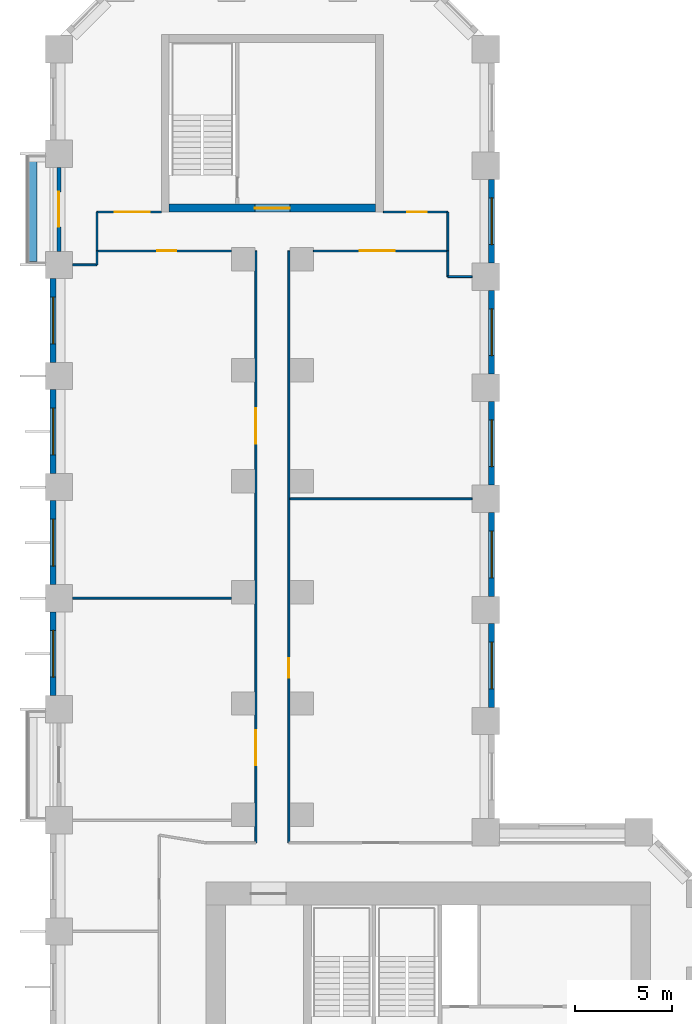
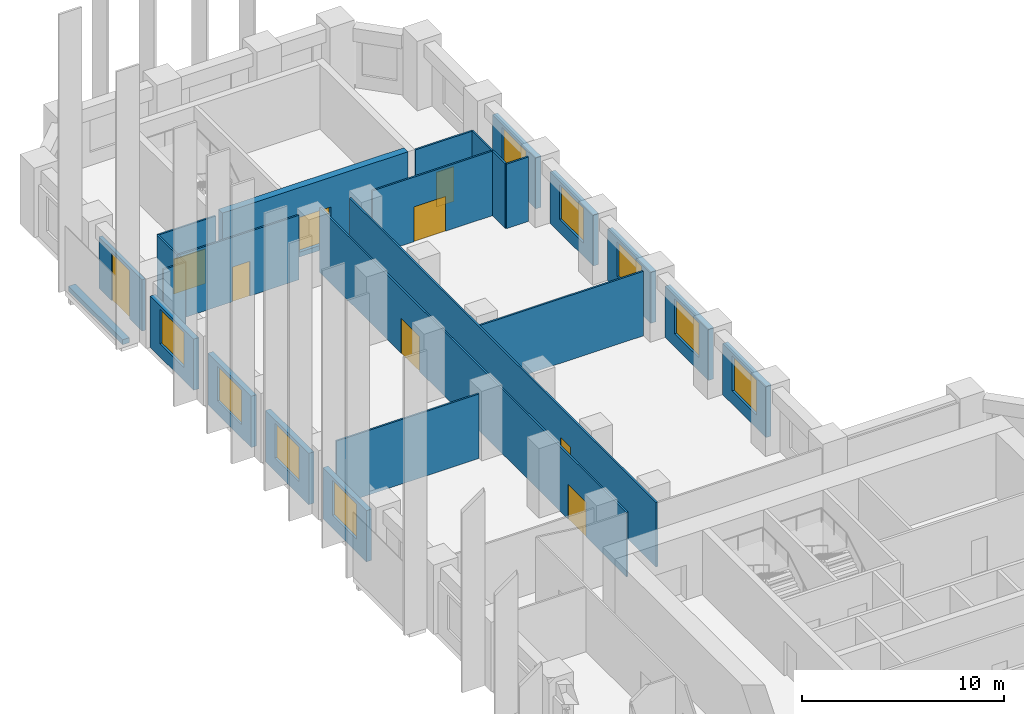
# One storey, part 8 of 11: 26 walls, 9 doors, 9 windows, 18 openings.
"""IFC4 building model written with IfcOpenShell, lengths in metres."""

from ifc_helpers import new_model, si_unit, direction, frame, frame_2d, origin, place, context, subcontext, project, spatial, rectangle, extrude, material, layer, layer_set, type_object, element, fill, save


model = new_model("IFC4")

# Units and contexts
model_context = context("Model", 3, precision=1e-05, world=origin(), true_north=direction((0.0, 1.0)))
body_context = subcontext(model_context, "Body", "Model", "MODEL_VIEW")
ifc_project = project(units=[si_unit("LENGTHUNIT", "METRE"), si_unit("AREAUNIT", "SQUARE_METRE"), si_unit("VOLUMEUNIT", "CUBIC_METRE"), si_unit("PLANEANGLEUNIT", "RADIAN"), si_unit("MASSUNIT", "GRAM", prefix="KILO")], contexts=[model_context])

# Site, building, storey
site_placement = place(None, origin())
site = spatial("IfcSite", under=ifc_project, at=site_placement, CompositionType="ELEMENT")
building_placement = place(site_placement, origin())
building = spatial("IfcBuilding", under=site, at=building_placement, Name="Meshkara Civic Tower", CompositionType="ELEMENT")
storey_placement = place(building_placement, frame((0.0, 0.0, 49.800048828125)))
storey = spatial("IfcBuildingStorey", under=building, at=storey_placement, Name="L10", CompositionType="ELEMENT", Elevation=49.800048828125)

# Wall, opening, door
ifc_material_1 = material(Name="Corridor wall 100")
ifc_layer_1 = layer(ifc_material_1, 0.10009765625)
ifc_layer_set_1 = layer_set([ifc_layer_1], Name="Corridor wall 100")
wall_type_1 = type_object("IfcWallType", Name="Corridor wall 100", PredefinedType="PARTITIONING", material=ifc_layer_set_1)
wall_1_placement = place(storey_placement, frame((2.39990234375, 69.27001953125, 0.0), z_axis=(0.0, 0.0, 1.0), x_axis=(1.0, 0.0, 0.0)))
wall_1 = element("IfcWall", 1, at=wall_1_placement, inside=storey, type_object=wall_type_1, Name="L10-W001", PredefinedType="PARTITIONING", context=body_context, shape_type="SweptSolid", body=[
    extrude(rectangle(XDim=6.900146484375, YDim=0.10009765625, at=frame_2d((3.4501953125, 0.0))), origin(), (0.0, 0.0, 1.0), 3.89990234375),
])
opening_1_placement = place(wall_1_placement, frame((3.080078125, 0.0, 0.0)))
opening_1 = element("IfcOpeningElement", 2, at=opening_1_placement, cuts=wall_1, Name="Opening L10-D026", PredefinedType="OPENING", context=body_context, shape_type="SweptSolid", body=[
    extrude(rectangle(XDim=1.0, YDim=2.10009765625, at=frame_2d((0.5, 1.050048828125))), frame((0.0, 0.06005859375, 0.0), z_axis=(0.0, -1.0, 0.0), x_axis=(1.0, 0.0, 0.0)), (0.0, 0.0, 1.0), 0.1201171875),
])
ifc_material_2 = material(Name="Door 1000 x 2100")
door_type_1 = type_object("IfcDoorType", Name="Door 1000 x 2100", OperationType="SINGLE_SWING_LEFT", PredefinedType="DOOR", material=ifc_material_2)
door_1_placement = place(opening_1_placement, origin())
door_1 = element("IfcDoor", 3, at=door_1_placement, inside=storey, type_object=door_type_1, Name="L10-D026", OperationType="SINGLE_SWING_LEFT", OverallHeight=2.10009765625, OverallWidth=1.0, PredefinedType="DOOR", context=body_context, shape_type="SweptSolid", body=[
    extrude(rectangle(XDim=1.0, YDim=2.10009765625, at=frame_2d((0.5, 1.050048828125))), frame((0.0, 0.02490234375, 0.0), z_axis=(0.0, -1.0, 0.0), x_axis=(1.0, 0.0, 0.0)), (0.0, 0.0, 1.0), 0.050048828125),
])
fill(opening_1, door_1)

# Wall
wall_2_placement = place(storey_placement, frame((2.39990234375, 71.27001953125, 0.0), z_axis=(0.0, 0.0, 1.0), x_axis=(0.0, -1.0, 0.0)))
element("IfcWall", 4, at=wall_2_placement, inside=storey, type_object=wall_type_1, Name="L10-W002", PredefinedType="PARTITIONING", context=body_context, shape_type="SweptSolid", body=[
    extrude(rectangle(XDim=2.0, YDim=0.10009765625, at=frame_2d((1.0, 0.0))), origin(), (0.0, 0.0, 1.0), 3.89990234375),
])

# Wall, opening, door
wall_3_placement = place(storey_placement, frame((5.699951171875, 71.27001953125, 0.0), z_axis=(0.0, 0.0, 1.0), x_axis=(-1.0, 0.0, 0.0)))
wall_3 = element("IfcWall", 5, at=wall_3_placement, inside=storey, type_object=wall_type_1, Name="L10-W006", PredefinedType="PARTITIONING", context=body_context, shape_type="SweptSolid", body=[
    extrude(rectangle(XDim=3.300048828125, YDim=0.10009765625, at=frame_2d((1.64990234375, 0.0))), origin(), (0.0, 0.0, 1.0), 3.89990234375),
])
opening_2_placement = place(wall_3_placement, frame((0.580078125, 0.0, 0.0)))
opening_2 = element("IfcOpeningElement", 6, at=opening_2_placement, cuts=wall_3, Name="Opening L10-D025", PredefinedType="OPENING", context=body_context, shape_type="SweptSolid", body=[
    extrude(rectangle(XDim=1.800048828125, YDim=2.10009765625, at=frame_2d((0.89990234375, 1.050048828125))), frame((0.0, 0.06005859375, 0.0), z_axis=(0.0, -1.0, 0.0), x_axis=(1.0, 0.0, 0.0)), (0.0, 0.0, 1.0), 0.1201171875),
])
ifc_material_3 = material(Name="Door pair 1800 x 2100")
door_type_2 = type_object("IfcDoorType", Name="Door pair 1800 x 2100", OperationType="SINGLE_SWING_LEFT", PredefinedType="DOOR", material=ifc_material_3)
door_2_placement = place(opening_2_placement, origin())
door_2 = element("IfcDoor", 7, at=door_2_placement, inside=storey, type_object=door_type_2, Name="L10-D025", OperationType="DOUBLE_DOOR_SINGLE_SWING", OverallHeight=2.10009765625, OverallWidth=1.800048828125, PredefinedType="DOOR", context=body_context, shape_type="SweptSolid", body=[
    extrude(rectangle(XDim=1.800048828125, YDim=2.10009765625, at=frame_2d((0.89990234375, 1.050048828125))), frame((0.0, 0.02490234375, 0.0), z_axis=(0.0, -1.0, 0.0), x_axis=(1.0, 0.0, 0.0)), (0.0, 0.0, 1.0), 0.050048828125),
])
fill(opening_2, door_2)

# Wall, openings, doors
wall_4_placement = place(storey_placement, frame((10.550048828125, 69.27001953125, 0.0), z_axis=(0.0, 0.0, 1.0), x_axis=(0.0, -1.0, 0.0)))
wall_4 = element("IfcWall", 8, at=wall_4_placement, inside=storey, type_object=wall_type_1, Name="L10-W014", PredefinedType="PARTITIONING", context=body_context, shape_type="SweptSolid", body=[
    extrude(rectangle(XDim=30.3701171875, YDim=0.10009765625, at=frame_2d((15.18505859375, 0.0))), origin(), (0.0, 0.0, 1.0), 3.89990234375),
])
opening_3_placement = place(wall_4_placement, frame((24.594970703125, 0.0, 0.0)))
opening_3 = element("IfcOpeningElement", 9, at=opening_3_placement, cuts=wall_4, Name="Opening L10-D022", PredefinedType="OPENING", context=body_context, shape_type="SweptSolid", body=[
    extrude(rectangle(XDim=1.800048828125, YDim=2.10009765625, at=frame_2d((0.89990234375, 1.050048828125))), frame((0.0, 0.06005859375, 0.0), z_axis=(0.0, -1.0, 0.0), x_axis=(1.0, 0.0, 0.0)), (0.0, 0.0, 1.0), 0.1201171875),
])
opening_4_placement = place(wall_4_placement, frame((8.080078125, 0.0, 0.0)))
opening_4 = element("IfcOpeningElement", 10, at=opening_4_placement, cuts=wall_4, Name="Opening L10-D024", PredefinedType="OPENING", context=body_context, shape_type="SweptSolid", body=[
    extrude(rectangle(XDim=1.800048828125, YDim=2.10009765625, at=frame_2d((0.89990234375, 1.050048828125))), frame((0.0, 0.06005859375, 0.0), z_axis=(0.0, -1.0, 0.0), x_axis=(1.0, 0.0, 0.0)), (0.0, 0.0, 1.0), 0.1201171875),
])
door_3_placement = place(opening_3_placement, origin())
door_3 = element("IfcDoor", 11, at=door_3_placement, inside=storey, type_object=door_type_2, Name="L10-D022", OperationType="DOUBLE_DOOR_SINGLE_SWING", OverallHeight=2.10009765625, OverallWidth=1.800048828125, PredefinedType="DOOR", context=body_context, shape_type="SweptSolid", body=[
    extrude(rectangle(XDim=1.800048828125, YDim=2.10009765625, at=frame_2d((0.89990234375, 1.050048828125))), frame((0.0, 0.02490234375, 0.0), z_axis=(0.0, -1.0, 0.0), x_axis=(1.0, 0.0, 0.0)), (0.0, 0.0, 1.0), 0.050048828125),
])
fill(opening_3, door_3)
door_4_placement = place(opening_4_placement, origin())
door_4 = element("IfcDoor", 12, at=door_4_placement, inside=storey, type_object=door_type_2, Name="L10-D024", OperationType="DOUBLE_DOOR_SINGLE_SWING", OverallHeight=2.10009765625, OverallWidth=1.800048828125, PredefinedType="DOOR", context=body_context, shape_type="SweptSolid", body=[
    extrude(rectangle(XDim=1.800048828125, YDim=2.10009765625, at=frame_2d((0.89990234375, 1.050048828125))), frame((0.0, 0.02490234375, 0.0), z_axis=(0.0, -1.0, 0.0), x_axis=(1.0, 0.0, 0.0)), (0.0, 0.0, 1.0), 0.050048828125),
])
fill(opening_4, door_4)

# Wall, opening, door
wall_5_placement = place(storey_placement, frame((12.25, 69.27001953125, 0.0), z_axis=(0.0, 0.0, 1.0), x_axis=(0.0, -1.0, 0.0)))
wall_5 = element("IfcWall", 13, at=wall_5_placement, inside=storey, type_object=wall_type_1, Name="L10-W015", PredefinedType="PARTITIONING", context=body_context, shape_type="SweptSolid", body=[
    extrude(rectangle(XDim=30.3701171875, YDim=0.10009765625, at=frame_2d((15.18505859375, 0.0))), origin(), (0.0, 0.0, 1.0), 3.89990234375),
])
opening_5_placement = place(wall_5_placement, frame((20.89990234375, 0.0, 0.0)))
opening_5 = element("IfcOpeningElement", 14, at=opening_5_placement, cuts=wall_5, Name="Opening L10-D023", PredefinedType="OPENING", context=body_context, shape_type="SweptSolid", body=[
    extrude(rectangle(XDim=1.0, YDim=2.10009765625, at=frame_2d((0.5, 1.050048828125))), frame((0.0, 0.06005859375, 0.0), z_axis=(0.0, -1.0, 0.0), x_axis=(1.0, 0.0, 0.0)), (0.0, 0.0, 1.0), 0.1201171875),
])
door_5_placement = place(opening_5_placement, origin())
door_5 = element("IfcDoor", 15, at=door_5_placement, inside=storey, type_object=door_type_1, Name="L10-D023", OperationType="SINGLE_SWING_LEFT", OverallHeight=2.10009765625, OverallWidth=1.0, PredefinedType="DOOR", context=body_context, shape_type="SweptSolid", body=[
    extrude(rectangle(XDim=1.0, YDim=2.10009765625, at=frame_2d((0.5, 1.050048828125))), frame((0.0, 0.02490234375, 0.0), z_axis=(0.0, -1.0, 0.0), x_axis=(1.0, 0.0, 0.0)), (0.0, 0.0, 1.0), 0.050048828125),
])
fill(opening_5, door_5)

wall_6_placement = place(storey_placement, frame((13.5, 69.27001953125, 0.0), z_axis=(0.0, 0.0, 1.0), x_axis=(1.0, 0.0, 0.0)))
wall_6 = element("IfcWall", 16, at=wall_6_placement, inside=storey, type_object=wall_type_1, Name="L10-W017", PredefinedType="PARTITIONING", context=body_context, shape_type="SweptSolid", body=[
    extrude(rectangle(XDim=6.89990234375, YDim=0.10009765625, at=frame_2d((3.449951171875, 0.0))), origin(), (0.0, 0.0, 1.0), 3.89990234375),
])
opening_6_placement = place(wall_6_placement, frame((2.3798828125, 0.0, 0.0)))
opening_6 = element("IfcOpeningElement", 17, at=opening_6_placement, cuts=wall_6, Name="Opening L10-D027", PredefinedType="OPENING", context=body_context, shape_type="SweptSolid", body=[
    extrude(rectangle(XDim=1.800048828125, YDim=2.10009765625, at=frame_2d((0.89990234375, 1.050048828125))), frame((0.0, 0.06005859375, 0.0), z_axis=(0.0, -1.0, 0.0), x_axis=(1.0, 0.0, 0.0)), (0.0, 0.0, 1.0), 0.1201171875),
])
door_6_placement = place(opening_6_placement, origin())
door_6 = element("IfcDoor", 18, at=door_6_placement, inside=storey, type_object=door_type_2, Name="L10-D027", OperationType="DOUBLE_DOOR_SINGLE_SWING", OverallHeight=2.10009765625, OverallWidth=1.800048828125, PredefinedType="DOOR", context=body_context, shape_type="SweptSolid", body=[
    extrude(rectangle(XDim=1.800048828125, YDim=2.10009765625, at=frame_2d((0.89990234375, 1.050048828125))), frame((0.0, 0.02490234375, 0.0), z_axis=(0.0, -1.0, 0.0), x_axis=(1.0, 0.0, 0.0)), (0.0, 0.0, 1.0), 0.050048828125),
])
fill(opening_6, door_6)

# Wall
wall_7_placement = place(storey_placement, frame((20.39990234375, 69.27001953125, 0.0), z_axis=(0.0, 0.0, 1.0), x_axis=(0.0, 1.0, 0.0)))
element("IfcWall", 19, at=wall_7_placement, inside=storey, type_object=wall_type_1, Name="L10-W018", PredefinedType="PARTITIONING", context=body_context, shape_type="SweptSolid", body=[
    extrude(rectangle(XDim=2.0, YDim=0.10009765625, at=frame_2d((1.0, 0.0))), origin(), (0.0, 0.0, 1.0), 3.89990234375),
])

# Wall, opening, door
wall_8_placement = place(storey_placement, frame((20.39990234375, 71.27001953125, 0.0), z_axis=(0.0, 0.0, 1.0), x_axis=(-1.0, 0.0, 0.0)))
wall_8 = element("IfcWall", 20, at=wall_8_placement, inside=storey, type_object=wall_type_1, Name="L10-W019", PredefinedType="PARTITIONING", context=body_context, shape_type="SweptSolid", body=[
    extrude(rectangle(XDim=3.2998046875, YDim=0.10009765625, at=frame_2d((1.64990234375, 0.0))), origin(), (0.0, 0.0, 1.0), 3.89990234375),
])
opening_7_placement = place(wall_8_placement, frame((1.080078125, 0.0, 0.0)))
opening_7 = element("IfcOpeningElement", 21, at=opening_7_placement, cuts=wall_8, Name="Opening L10-D028", PredefinedType="OPENING", context=body_context, shape_type="SweptSolid", body=[
    extrude(rectangle(XDim=1.0, YDim=2.10009765625, at=frame_2d((0.5, 1.050048828125))), frame((0.0, 0.06005859375, 0.0), z_axis=(0.0, -1.0, 0.0), x_axis=(1.0, 0.0, 0.0)), (0.0, 0.0, 1.0), 0.1201171875),
])
door_7_placement = place(opening_7_placement, origin())
door_7 = element("IfcDoor", 22, at=door_7_placement, inside=storey, type_object=door_type_1, Name="L10-D028", OperationType="SINGLE_SWING_RIGHT", OverallHeight=2.10009765625, OverallWidth=1.0, PredefinedType="DOOR", context=body_context, shape_type="SweptSolid", body=[
    extrude(rectangle(XDim=1.0, YDim=2.10009765625, at=frame_2d((0.5, 1.050048828125))), frame((0.0, 0.02490234375, 0.0), z_axis=(0.0, -1.0, 0.0), x_axis=(1.0, 0.0, 0.0)), (0.0, 0.0, 1.0), 0.050048828125),
])
fill(opening_7, door_7)

# Wall, opening, window
ifc_material_4 = material(Name="Insulated infill panel with bronze anodised aluminium cladding", Category="aluminium")
ifc_layer_2 = layer(ifc_material_4, 0.300048828125)
ifc_layer_set_2 = layer_set([ifc_layer_2], Name="EXTERNAL INFILL WALL 300")
wall_type_2 = type_object("IfcWallType", Name="EXTERNAL INFILL WALL 300", PredefinedType="SOLIDWALL", material=ifc_layer_set_2)
wall_9_placement = place(storey_placement, frame((22.64990234375, 45.85009765625, 0.0), z_axis=(0.0, 0.0, 1.0), x_axis=(0.0, 1.0, 0.0)))
wall_9 = element("IfcWall", 23, at=wall_9_placement, inside=storey, type_object=wall_type_2, Name="External wall", PredefinedType="SOLIDWALL", context=body_context, shape_type="SweptSolid", body=[
    extrude(rectangle(XDim=4.2998046875, YDim=0.300048828125, at=frame_2d((2.14990234375, 0.0))), origin(), (0.0, 0.0, 1.0), 3.099853515625),
])
opening_8_placement = place(wall_9_placement, frame((0.949951171875, 0.0, 0.800048828125)))
opening_8 = element("IfcOpeningElement", 24, at=opening_8_placement, cuts=wall_9, Name="Opening W7", PredefinedType="OPENING", context=body_context, shape_type="SweptSolid", body=[
    extrude(rectangle(XDim=2.39990234375, YDim=2.10009765625, at=frame_2d((1.199951171875, 1.050048828125))), frame((0.0, 0.159912109375, 0.0), z_axis=(0.0, -1.0, 0.0), x_axis=(1.0, 0.0, 0.0)), (0.0, 0.0, 1.0), 0.320068359375),
])
ifc_material_5 = material(Name="Tinted double glazing", Category="glass")
window_type = type_object("IfcWindowType", Name="WINDOW 2400x2100", PartitioningType="DOUBLE_PANEL_VERTICAL", PredefinedType="WINDOW", material=ifc_material_5)
window_1_placement = place(opening_8_placement, origin())
window_1 = element("IfcWindow", 25, at=window_1_placement, inside=storey, type_object=window_type, Name="Window", OverallHeight=2.10009765625, OverallWidth=2.39990234375, PartitioningType="DOUBLE_PANEL_VERTICAL", PredefinedType="WINDOW", context=body_context, shape_type="SweptSolid", body=[
    extrude(rectangle(XDim=2.39990234375, YDim=2.10009765625, at=frame_2d((1.199951171875, 1.050048828125))), frame((0.0, 0.030029296875, 0.0), z_axis=(0.0, -1.0, 0.0), x_axis=(1.0, 0.0, 0.0)), (0.0, 0.0, 1.0), 0.06005859375),
])
fill(opening_8, window_1)

wall_10_placement = place(storey_placement, frame((22.64990234375, 51.550048828125, 0.0), z_axis=(0.0, 0.0, 1.0), x_axis=(0.0, 1.0, 0.0)))
wall_10 = element("IfcWall", 26, at=wall_10_placement, inside=storey, type_object=wall_type_2, Name="External wall", PredefinedType="SOLIDWALL", context=body_context, shape_type="SweptSolid", body=[
    extrude(rectangle(XDim=4.300048828125, YDim=0.300048828125, at=frame_2d((2.14990234375, 0.0))), origin(), (0.0, 0.0, 1.0), 3.099853515625),
])
opening_9_placement = place(wall_10_placement, frame((0.949951171875, 0.0, 0.800048828125)))
opening_9 = element("IfcOpeningElement", 27, at=opening_9_placement, cuts=wall_10, Name="Opening W7", PredefinedType="OPENING", context=body_context, shape_type="SweptSolid", body=[
    extrude(rectangle(XDim=2.39990234375, YDim=2.10009765625, at=frame_2d((1.199951171875, 1.050048828125))), frame((0.0, 0.159912109375, 0.0), z_axis=(0.0, -1.0, 0.0), x_axis=(1.0, 0.0, 0.0)), (0.0, 0.0, 1.0), 0.320068359375),
])
window_2_placement = place(opening_9_placement, origin())
window_2 = element("IfcWindow", 28, at=window_2_placement, inside=storey, type_object=window_type, Name="Window", OverallHeight=2.10009765625, OverallWidth=2.39990234375, PartitioningType="DOUBLE_PANEL_VERTICAL", PredefinedType="WINDOW", context=body_context, shape_type="SweptSolid", body=[
    extrude(rectangle(XDim=2.39990234375, YDim=2.10009765625, at=frame_2d((1.199951171875, 1.050048828125))), frame((0.0, 0.030029296875, 0.0), z_axis=(0.0, -1.0, 0.0), x_axis=(1.0, 0.0, 0.0)), (0.0, 0.0, 1.0), 0.06005859375),
])
fill(opening_9, window_2)

wall_11_placement = place(storey_placement, frame((22.64990234375, 57.25, 0.0), z_axis=(0.0, 0.0, 1.0), x_axis=(0.0, 1.0, 0.0)))
wall_11 = element("IfcWall", 29, at=wall_11_placement, inside=storey, type_object=wall_type_2, Name="External wall", PredefinedType="SOLIDWALL", context=body_context, shape_type="SweptSolid", body=[
    extrude(rectangle(XDim=4.300048828125, YDim=0.300048828125, at=frame_2d((2.14990234375, 0.0))), origin(), (0.0, 0.0, 1.0), 3.099853515625),
])
opening_10_placement = place(wall_11_placement, frame((0.949951171875, 0.0, 0.800048828125)))
opening_10 = element("IfcOpeningElement", 30, at=opening_10_placement, cuts=wall_11, Name="Opening W7", PredefinedType="OPENING", context=body_context, shape_type="SweptSolid", body=[
    extrude(rectangle(XDim=2.39990234375, YDim=2.10009765625, at=frame_2d((1.199951171875, 1.050048828125))), frame((0.0, 0.159912109375, 0.0), z_axis=(0.0, -1.0, 0.0), x_axis=(1.0, 0.0, 0.0)), (0.0, 0.0, 1.0), 0.320068359375),
])
window_3_placement = place(opening_10_placement, origin())
window_3 = element("IfcWindow", 31, at=window_3_placement, inside=storey, type_object=window_type, Name="Window", OverallHeight=2.10009765625, OverallWidth=2.39990234375, PartitioningType="DOUBLE_PANEL_VERTICAL", PredefinedType="WINDOW", context=body_context, shape_type="SweptSolid", body=[
    extrude(rectangle(XDim=2.39990234375, YDim=2.10009765625, at=frame_2d((1.199951171875, 1.050048828125))), frame((0.0, 0.030029296875, 0.0), z_axis=(0.0, -1.0, 0.0), x_axis=(1.0, 0.0, 0.0)), (0.0, 0.0, 1.0), 0.06005859375),
])
fill(opening_10, window_3)

wall_12_placement = place(storey_placement, frame((22.64990234375, 62.949951171875, 0.0), z_axis=(0.0, 0.0, 1.0), x_axis=(0.0, 1.0, 0.0)))
wall_12 = element("IfcWall", 32, at=wall_12_placement, inside=storey, type_object=wall_type_2, Name="External wall", PredefinedType="SOLIDWALL", context=body_context, shape_type="SweptSolid", body=[
    extrude(rectangle(XDim=4.300048828125, YDim=0.300048828125, at=frame_2d((2.14990234375, 0.0))), origin(), (0.0, 0.0, 1.0), 3.099853515625),
])
opening_11_placement = place(wall_12_placement, frame((0.949951171875, 0.0, 0.800048828125)))
opening_11 = element("IfcOpeningElement", 33, at=opening_11_placement, cuts=wall_12, Name="Opening W7", PredefinedType="OPENING", context=body_context, shape_type="SweptSolid", body=[
    extrude(rectangle(XDim=2.39990234375, YDim=2.10009765625, at=frame_2d((1.199951171875, 1.050048828125))), frame((0.0, 0.159912109375, 0.0), z_axis=(0.0, -1.0, 0.0), x_axis=(1.0, 0.0, 0.0)), (0.0, 0.0, 1.0), 0.320068359375),
])
window_4_placement = place(opening_11_placement, origin())
window_4 = element("IfcWindow", 34, at=window_4_placement, inside=storey, type_object=window_type, Name="Window", OverallHeight=2.10009765625, OverallWidth=2.39990234375, PartitioningType="DOUBLE_PANEL_VERTICAL", PredefinedType="WINDOW", context=body_context, shape_type="SweptSolid", body=[
    extrude(rectangle(XDim=2.39990234375, YDim=2.10009765625, at=frame_2d((1.199951171875, 1.050048828125))), frame((0.0, 0.030029296875, 0.0), z_axis=(0.0, -1.0, 0.0), x_axis=(1.0, 0.0, 0.0)), (0.0, 0.0, 1.0), 0.06005859375),
])
fill(opening_11, window_4)

wall_13_placement = place(storey_placement, frame((22.64990234375, 68.64990234375, 0.0), z_axis=(0.0, 0.0, 1.0), x_axis=(0.0, 1.0, 0.0)))
wall_13 = element("IfcWall", 35, at=wall_13_placement, inside=storey, type_object=wall_type_2, Name="External wall", PredefinedType="SOLIDWALL", context=body_context, shape_type="SweptSolid", body=[
    extrude(rectangle(XDim=4.300048828125, YDim=0.300048828125, at=frame_2d((2.14990234375, 0.0))), origin(), (0.0, 0.0, 1.0), 3.099853515625),
])
opening_12_placement = place(wall_13_placement, frame((0.949951171875, 0.0, 0.800048828125)))
opening_12 = element("IfcOpeningElement", 36, at=opening_12_placement, cuts=wall_13, Name="Opening W7", PredefinedType="OPENING", context=body_context, shape_type="SweptSolid", body=[
    extrude(rectangle(XDim=2.39990234375, YDim=2.10009765625, at=frame_2d((1.199951171875, 1.050048828125))), frame((0.0, 0.159912109375, 0.0), z_axis=(0.0, -1.0, 0.0), x_axis=(1.0, 0.0, 0.0)), (0.0, 0.0, 1.0), 0.320068359375),
])
window_5_placement = place(opening_12_placement, origin())
window_5 = element("IfcWindow", 37, at=window_5_placement, inside=storey, type_object=window_type, Name="Window", OverallHeight=2.10009765625, OverallWidth=2.39990234375, PartitioningType="DOUBLE_PANEL_VERTICAL", PredefinedType="WINDOW", context=body_context, shape_type="SweptSolid", body=[
    extrude(rectangle(XDim=2.39990234375, YDim=2.10009765625, at=frame_2d((1.199951171875, 1.050048828125))), frame((0.0, 0.030029296875, 0.0), z_axis=(0.0, -1.0, 0.0), x_axis=(1.0, 0.0, 0.0)), (0.0, 0.0, 1.0), 0.06005859375),
])
fill(opening_12, window_5)

wall_14_placement = place(storey_placement, frame((0.14990234375, 67.85498046875, 0.0), z_axis=(0.0, 0.0, 1.0), x_axis=(0.0, -1.0, 0.0)))
wall_14 = element("IfcWall", 38, at=wall_14_placement, inside=storey, type_object=wall_type_2, Name="External wall", PredefinedType="SOLIDWALL", context=body_context, shape_type="SweptSolid", body=[
    extrude(rectangle(XDim=4.300048828125, YDim=0.300048828125, at=frame_2d((2.14990234375, 0.0))), origin(), (0.0, 0.0, 1.0), 3.099853515625),
])
opening_13_placement = place(wall_14_placement, frame((0.949951171875, 0.0, 0.800048828125)))
opening_13 = element("IfcOpeningElement", 39, at=opening_13_placement, cuts=wall_14, Name="Opening W7", PredefinedType="OPENING", context=body_context, shape_type="SweptSolid", body=[
    extrude(rectangle(XDim=2.39990234375, YDim=2.10009765625, at=frame_2d((1.199951171875, 1.050048828125))), frame((0.0, 0.159912109375, 0.0), z_axis=(0.0, -1.0, 0.0), x_axis=(1.0, 0.0, 0.0)), (0.0, 0.0, 1.0), 0.320068359375),
])
window_6_placement = place(opening_13_placement, origin())
window_6 = element("IfcWindow", 40, at=window_6_placement, inside=storey, type_object=window_type, Name="Window", OverallHeight=2.10009765625, OverallWidth=2.39990234375, PartitioningType="DOUBLE_PANEL_VERTICAL", PredefinedType="WINDOW", context=body_context, shape_type="SweptSolid", body=[
    extrude(rectangle(XDim=2.39990234375, YDim=2.10009765625, at=frame_2d((1.199951171875, 1.050048828125))), frame((0.0, 0.030029296875, 0.0), z_axis=(0.0, -1.0, 0.0), x_axis=(1.0, 0.0, 0.0)), (0.0, 0.0, 1.0), 0.06005859375),
])
fill(opening_13, window_6)

wall_15_placement = place(storey_placement, frame((0.14990234375, 62.155029296875, 0.0), z_axis=(0.0, 0.0, 1.0), x_axis=(0.0, -1.0, 0.0)))
wall_15 = element("IfcWall", 41, at=wall_15_placement, inside=storey, type_object=wall_type_2, Name="External wall", PredefinedType="SOLIDWALL", context=body_context, shape_type="SweptSolid", body=[
    extrude(rectangle(XDim=4.300048828125, YDim=0.300048828125, at=frame_2d((2.14990234375, 0.0))), origin(), (0.0, 0.0, 1.0), 3.099853515625),
])
opening_14_placement = place(wall_15_placement, frame((0.949951171875, 0.0, 0.800048828125)))
opening_14 = element("IfcOpeningElement", 42, at=opening_14_placement, cuts=wall_15, Name="Opening W7", PredefinedType="OPENING", context=body_context, shape_type="SweptSolid", body=[
    extrude(rectangle(XDim=2.39990234375, YDim=2.10009765625, at=frame_2d((1.199951171875, 1.050048828125))), frame((0.0, 0.159912109375, 0.0), z_axis=(0.0, -1.0, 0.0), x_axis=(1.0, 0.0, 0.0)), (0.0, 0.0, 1.0), 0.320068359375),
])
window_7_placement = place(opening_14_placement, origin())
window_7 = element("IfcWindow", 43, at=window_7_placement, inside=storey, type_object=window_type, Name="Window", OverallHeight=2.10009765625, OverallWidth=2.39990234375, PartitioningType="DOUBLE_PANEL_VERTICAL", PredefinedType="WINDOW", context=body_context, shape_type="SweptSolid", body=[
    extrude(rectangle(XDim=2.39990234375, YDim=2.10009765625, at=frame_2d((1.199951171875, 1.050048828125))), frame((0.0, 0.030029296875, 0.0), z_axis=(0.0, -1.0, 0.0), x_axis=(1.0, 0.0, 0.0)), (0.0, 0.0, 1.0), 0.06005859375),
])
fill(opening_14, window_7)

wall_16_placement = place(storey_placement, frame((0.14990234375, 56.455078125, 0.0), z_axis=(0.0, 0.0, 1.0), x_axis=(0.0, -1.0, 0.0)))
wall_16 = element("IfcWall", 44, at=wall_16_placement, inside=storey, type_object=wall_type_2, Name="External wall", PredefinedType="SOLIDWALL", context=body_context, shape_type="SweptSolid", body=[
    extrude(rectangle(XDim=4.300048828125, YDim=0.300048828125, at=frame_2d((2.14990234375, 0.0))), origin(), (0.0, 0.0, 1.0), 3.099853515625),
])
opening_15_placement = place(wall_16_placement, frame((0.949951171875, 0.0, 0.800048828125)))
opening_15 = element("IfcOpeningElement", 45, at=opening_15_placement, cuts=wall_16, Name="Opening W7", PredefinedType="OPENING", context=body_context, shape_type="SweptSolid", body=[
    extrude(rectangle(XDim=2.39990234375, YDim=2.10009765625, at=frame_2d((1.199951171875, 1.050048828125))), frame((0.0, 0.159912109375, 0.0), z_axis=(0.0, -1.0, 0.0), x_axis=(1.0, 0.0, 0.0)), (0.0, 0.0, 1.0), 0.320068359375),
])
window_8_placement = place(opening_15_placement, origin())
window_8 = element("IfcWindow", 46, at=window_8_placement, inside=storey, type_object=window_type, Name="Window", OverallHeight=2.10009765625, OverallWidth=2.39990234375, PartitioningType="DOUBLE_PANEL_VERTICAL", PredefinedType="WINDOW", context=body_context, shape_type="SweptSolid", body=[
    extrude(rectangle(XDim=2.39990234375, YDim=2.10009765625, at=frame_2d((1.199951171875, 1.050048828125))), frame((0.0, 0.030029296875, 0.0), z_axis=(0.0, -1.0, 0.0), x_axis=(1.0, 0.0, 0.0)), (0.0, 0.0, 1.0), 0.06005859375),
])
fill(opening_15, window_8)

wall_17_placement = place(storey_placement, frame((0.14990234375, 50.7548828125, 0.0), z_axis=(0.0, 0.0, 1.0), x_axis=(0.0, -1.0, 0.0)))
wall_17 = element("IfcWall", 47, at=wall_17_placement, inside=storey, type_object=wall_type_2, Name="External wall", PredefinedType="SOLIDWALL", context=body_context, shape_type="SweptSolid", body=[
    extrude(rectangle(XDim=4.2998046875, YDim=0.300048828125, at=frame_2d((2.14990234375, 0.0))), origin(), (0.0, 0.0, 1.0), 3.099853515625),
])
opening_16_placement = place(wall_17_placement, frame((0.949951171875, 0.0, 0.800048828125)))
opening_16 = element("IfcOpeningElement", 48, at=opening_16_placement, cuts=wall_17, Name="Opening W7", PredefinedType="OPENING", context=body_context, shape_type="SweptSolid", body=[
    extrude(rectangle(XDim=2.39990234375, YDim=2.10009765625, at=frame_2d((1.199951171875, 1.050048828125))), frame((0.0, 0.159912109375, 0.0), z_axis=(0.0, -1.0, 0.0), x_axis=(1.0, 0.0, 0.0)), (0.0, 0.0, 1.0), 0.320068359375),
])
window_9_placement = place(opening_16_placement, origin())
window_9 = element("IfcWindow", 49, at=window_9_placement, inside=storey, type_object=window_type, Name="Window", OverallHeight=2.10009765625, OverallWidth=2.39990234375, PartitioningType="DOUBLE_PANEL_VERTICAL", PredefinedType="WINDOW", context=body_context, shape_type="SweptSolid", body=[
    extrude(rectangle(XDim=2.39990234375, YDim=2.10009765625, at=frame_2d((1.199951171875, 1.050048828125))), frame((0.0, 0.030029296875, 0.0), z_axis=(0.0, -1.0, 0.0), x_axis=(1.0, 0.0, 0.0)), (0.0, 0.0, 1.0), 0.06005859375),
])
fill(opening_16, window_9)

# Wall, opening, door
ifc_material_6 = material(Name="Concrete C80", Category="concrete")
ifc_layer_3 = layer(ifc_material_6, 0.39990234375)
ifc_layer_set_3 = layer_set([ifc_layer_3], Name="End core ring wall 400 C80")
wall_type_3 = type_object("IfcWallType", Name="End core ring wall 400 C80", PredefinedType="SHEAR", material=ifc_layer_set_3)
wall_18_placement = place(storey_placement, frame((6.10009765625, 71.469970703125, -0.300048828125), z_axis=(0.0, 0.0, 1.0), x_axis=(1.0, 0.0, 0.0)))
wall_18 = element("IfcWall", 50, at=wall_18_placement, inside=storey, type_object=wall_type_3, Name="L10-C027", PredefinedType="SHEAR", context=body_context, shape_type="SweptSolid", body=[
    extrude(rectangle(XDim=10.599853515625, YDim=0.39990234375, at=frame_2d((5.2998046875, 0.0))), origin(), (0.0, 0.0, 1.0), 4.199951171875),
])
opening_17_placement = place(wall_18_placement, frame((4.39990234375, 0.0, 0.300048828125)))
opening_17 = element("IfcOpeningElement", 51, at=opening_17_placement, cuts=wall_18, Name="Opening L10-K102", PredefinedType="OPENING", context=body_context, shape_type="SweptSolid", body=[
    extrude(rectangle(XDim=1.800048828125, YDim=2.10009765625, at=frame_2d((0.89990234375, 1.050048828125))), frame((0.0, 0.2099609375, 0.0), z_axis=(0.0, -1.0, 0.0), x_axis=(1.0, 0.0, 0.0)), (0.0, 0.0, 1.0), 0.419921875),
])
ifc_material_7 = material(Name="Fire-rated door leaf in steel frame", Category="steel")
door_type_3 = type_object("IfcDoorType", Name="Core double door 1800 EI 60", OperationType="DOUBLE_DOOR_SINGLE_SWING", PredefinedType="DOOR", material=ifc_material_7)
door_8_placement = place(opening_17_placement, origin())
door_8 = element("IfcDoor", 52, at=door_8_placement, inside=storey, type_object=door_type_3, Name="L10-K102", OperationType="DOUBLE_DOOR_SINGLE_SWING", OverallHeight=2.10009765625, OverallWidth=1.800048828125, PredefinedType="DOOR", context=body_context, shape_type="SweptSolid", body=[
    extrude(rectangle(XDim=1.800048828125, YDim=2.10009765625, at=frame_2d((0.89990234375, 1.050048828125))), frame((0.0, 0.02490234375, 0.0), z_axis=(0.0, -1.0, 0.0), x_axis=(1.0, 0.0, 0.0)), (0.0, 0.0, 1.0), 0.050048828125),
])
fill(opening_17, door_8)

ifc_material_8 = material(Name="Insulated infill panel with bronze anodised aluminium cladding", Category="aluminium")
ifc_layer_4 = layer(ifc_material_8, 0.199951171875)
ifc_layer_set_4 = layer_set([ifc_layer_4], Name="LOGGIA BACK WALL 200")
wall_type_4 = type_object("IfcWallType", Name="LOGGIA BACK WALL 200", PredefinedType="SOLIDWALL", material=ifc_layer_set_4)
wall_19_placement = place(storey_placement, frame((0.449951171875, 73.553955078125, 0.0), z_axis=(0.0, 0.0, 1.0), x_axis=(0.0, -1.0, 0.0)))
wall_19 = element("IfcWall", 53, at=wall_19_placement, inside=storey, type_object=wall_type_4, Name="Loggia wall", PredefinedType="SOLIDWALL", context=body_context, shape_type="SweptSolid", body=[
    extrude(rectangle(XDim=4.2978515625, YDim=0.199951171875, at=frame_2d((2.14892578125, 0.0))), origin(), (0.0, 0.0, 1.0), 3.099853515625),
])
opening_18_placement = place(wall_19_placement, frame((1.2490234375, 0.0, 0.0)))
opening_18 = element("IfcOpeningElement", 54, at=opening_18_placement, cuts=wall_19, Name="Opening L10-L001", PredefinedType="OPENING", context=body_context, shape_type="SweptSolid", body=[
    extrude(rectangle(XDim=1.800048828125, YDim=2.89990234375, at=frame_2d((0.89990234375, 1.449951171875))), frame((0.0, 0.10986328125, 0.0), z_axis=(0.0, -1.0, 0.0), x_axis=(1.0, 0.0, 0.0)), (0.0, 0.0, 1.0), 0.219970703125),
])
ifc_material_9 = material(Name="Tinted double glazing", Category="glass")
door_type_4 = type_object("IfcDoorType", Name="LOGGIA DOOR 1800x2900", OperationType="DOUBLE_DOOR_SINGLE_SWING", PredefinedType="DOOR", material=ifc_material_9)
door_9_placement = place(opening_18_placement, origin())
door_9 = element("IfcDoor", 55, at=door_9_placement, inside=storey, type_object=door_type_4, Name="L10-L001", OperationType="DOUBLE_DOOR_SINGLE_SWING", OverallHeight=2.89990234375, OverallWidth=1.800048828125, PredefinedType="DOOR", context=body_context, shape_type="SweptSolid", body=[
    extrude(rectangle(XDim=1.800048828125, YDim=2.89990234375, at=frame_2d((0.89990234375, 1.449951171875))), frame((0.0, 0.02490234375, 0.0), z_axis=(0.0, -1.0, 0.0), x_axis=(1.0, 0.0, 0.0)), (0.0, 0.0, 1.0), 0.050048828125),
])
fill(opening_18, door_9)

# Walls
ifc_material_10 = material(Name="Concrete C40", Category="concrete")
ifc_layer_5 = layer(ifc_material_10, 0.39990234375)
ifc_layer_set_5 = layer_set([ifc_layer_5], Name="PLANTER TRAY")
wall_type_5 = type_object("IfcWallType", Name="PLANTER TRAY", PredefinedType="SOLIDWALL", material=ifc_layer_set_5)
wall_20_placement = place(storey_placement, frame((-0.8798828125, 74.0849609375, 0.0), z_axis=(0.0, 0.0, 1.0), x_axis=(0.0, -1.0, 0.0)))
element("IfcWall", 56, at=wall_20_placement, inside=storey, type_object=wall_type_5, Name="Planter", PredefinedType="SOLIDWALL", context=body_context, shape_type="SweptSolid", body=[
    extrude(rectangle(XDim=5.35986328125, YDim=0.39990234375, at=frame_2d((2.679931640625, 0.0))), origin(), (0.0, 0.0, 1.0), 0.300048828125),
])
ifc_material_11 = material(Name="Partition 100")
ifc_layer_6 = layer(ifc_material_11, 0.10009765625)
ifc_layer_set_6 = layer_set([ifc_layer_6], Name="Partition 100")
wall_type_6 = type_object("IfcWallType", Name="Partition 100", PredefinedType="PARTITIONING", material=ifc_layer_set_6)
wall_21_placement = place(storey_placement, frame((2.39990234375, 68.554931640625, 0.0), z_axis=(0.0, 0.0, 1.0), x_axis=(-1.0, 0.0, 0.0)))
element("IfcWall", 57, at=wall_21_placement, inside=storey, type_object=wall_type_6, Name="L10-W031", PredefinedType="PARTITIONING", context=body_context, shape_type="SweptSolid", body=[
    extrude(rectangle(XDim=1.25, YDim=0.10009765625, at=frame_2d((0.625, 0.0))), origin(), (0.0, 0.0, 1.0), 3.89990234375),
])
wall_22_placement = place(storey_placement, frame((2.39990234375, 69.27392578125, 0.0), z_axis=(0.0, 0.0, 1.0), x_axis=(0.0, -1.0, 0.0)))
element("IfcWall", 58, at=wall_22_placement, inside=storey, type_object=wall_type_6, Name="L10-W032", PredefinedType="PARTITIONING", context=body_context, shape_type="SweptSolid", body=[
    extrude(rectangle(XDim=0.718994140625, YDim=0.10009765625, at=frame_2d((0.359375, 0.0))), origin(), (0.0, 0.0, 1.0), 3.89990234375),
])
wall_23_placement = place(storey_placement, frame((9.300048828125, 51.455078125, 0.0), z_axis=(0.0, 0.0, 1.0), x_axis=(-1.0, 0.0, 0.0)))
element("IfcWall", 59, at=wall_23_placement, inside=storey, type_object=wall_type_6, Name="L10-W041", PredefinedType="PARTITIONING", context=body_context, shape_type="SweptSolid", body=[
    extrude(rectangle(XDim=8.150146484375, YDim=0.10009765625, at=frame_2d((4.0751953125, 0.0))), origin(), (0.0, 0.0, 1.0), 3.89990234375),
])
wall_24_placement = place(storey_placement, frame((20.39990234375, 67.949951171875, 0.0), z_axis=(0.0, 0.0, 1.0), x_axis=(0.0, 1.0, 0.0)))
element("IfcWall", 60, at=wall_24_placement, inside=storey, type_object=wall_type_6, Name="L10-W042", PredefinedType="PARTITIONING", context=body_context, shape_type="SweptSolid", body=[
    extrude(rectangle(XDim=1.323974609375, YDim=0.10009765625, at=frame_2d((0.662109375, 0.0))), origin(), (0.0, 0.0, 1.0), 3.89990234375),
])
wall_25_placement = place(storey_placement, frame((21.64990234375, 56.550048828125, 0.0), z_axis=(0.0, 0.0, 1.0), x_axis=(-1.0, 0.0, 0.0)))
element("IfcWall", 61, at=wall_25_placement, inside=storey, type_object=wall_type_6, Name="L10-W044", PredefinedType="PARTITIONING", context=body_context, shape_type="SweptSolid", body=[
    extrude(rectangle(XDim=9.349853515625, YDim=0.10009765625, at=frame_2d((4.6748046875, 0.0))), origin(), (0.0, 0.0, 1.0), 3.89990234375),
])
wall_26_placement = place(storey_placement, frame((21.64990234375, 67.949951171875, 0.0), z_axis=(0.0, 0.0, 1.0), x_axis=(-1.0, 0.0, 0.0)))
element("IfcWall", 62, at=wall_26_placement, inside=storey, type_object=wall_type_6, Name="L10-W045", PredefinedType="PARTITIONING", context=body_context, shape_type="SweptSolid", body=[
    extrude(rectangle(XDim=1.25, YDim=0.10009765625, at=frame_2d((0.625, 0.0))), origin(), (0.0, 0.0, 1.0), 3.89990234375),
])

save(model, "model.ifc")
